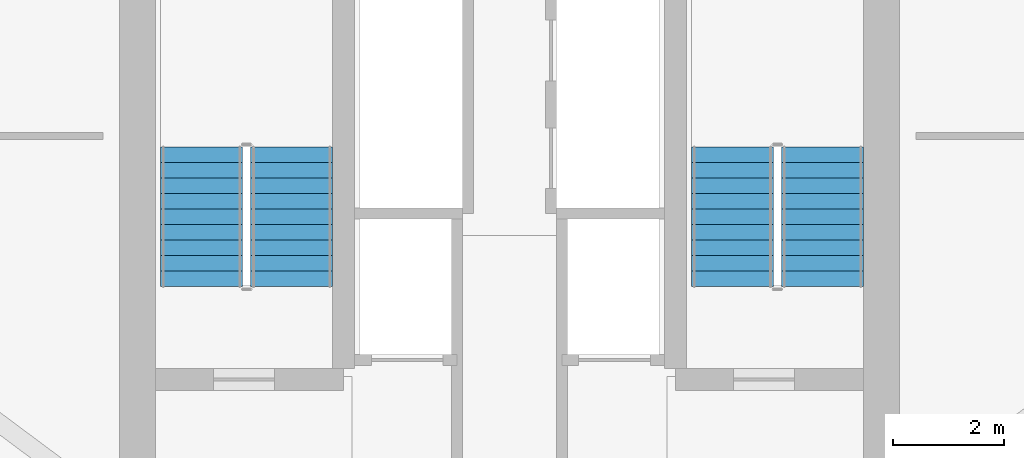
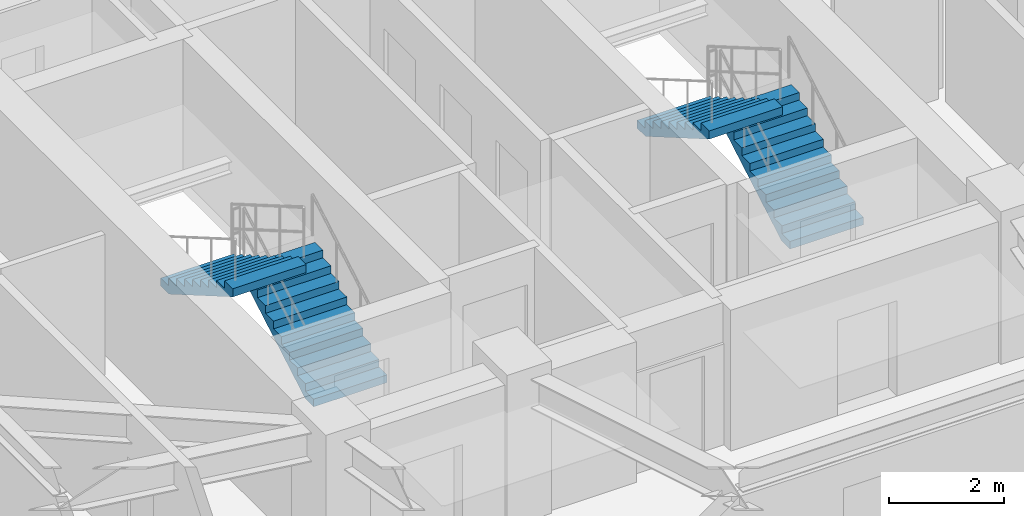
# One storey, part 31 of 33: 4 stair flights, 2 elements without a shape of their own.
"""IFC4 building model written with IfcOpenShell, lengths in metres."""

from ifc_helpers import new_model, si_unit, direction, frame, origin, place, context, subcontext, project, spatial, polyline, outline, extrude, material, type_object, element, aggregate, save


model = new_model("IFC4")

# Units and contexts
model_context = context("Model", 3, precision=1e-05, world=origin(), true_north=direction((0.0, 1.0)))
body_context = subcontext(model_context, "Body", "Model", "MODEL_VIEW")
ifc_project = project(units=[si_unit("LENGTHUNIT", "METRE"), si_unit("AREAUNIT", "SQUARE_METRE"), si_unit("VOLUMEUNIT", "CUBIC_METRE"), si_unit("PLANEANGLEUNIT", "RADIAN"), si_unit("MASSUNIT", "GRAM", prefix="KILO")], contexts=[model_context])

# Site, building, storey
site_placement = place(None, origin())
site = spatial("IfcSite", under=ifc_project, at=site_placement, CompositionType="ELEMENT")
building_placement = place(site_placement, origin())
building = spatial("IfcBuilding", under=site, at=building_placement, Name="Veraguas Prism Commons", CompositionType="ELEMENT")
storey_placement = place(building_placement, frame((0.0, 0.0, 92.699951171875)))
storey = spatial("IfcBuildingStorey", under=building, at=storey_placement, Name="L25", CompositionType="ELEMENT", Elevation=92.699951171875)

# Stair, stair flights
ifc_material = material(Name="Precast concrete C45/55", Category="concrete")
stair_type = type_object("IfcStairType", Name="Dogleg Core Stair 1480W 20R 05", PredefinedType="HALF_TURN_STAIR", material=ifc_material)
stair_1_placement = place(storey_placement, origin())
stair_1 = element("IfcStair", 1, at=stair_1_placement, inside=storey, type_object=stair_type, Name="Protected Exit Stair ST-01 L25", PredefinedType="HALF_TURN_STAIR")
stair_flight_type = type_object("IfcStairFlightType", Name="Precast Stair Flight 1480W 10R 05", PredefinedType="STRAIGHT", material=ifc_material)
stair_flight_1_placement = place(storey_placement, frame((20.06005859375, 21.280029296875, 0.0), z_axis=(0.0, 0.0, 1.0), x_axis=(0.0, 1.0, 0.0)))
stair_flight_1 = element("IfcStairFlight", 2, at=stair_flight_1_placement, type_object=stair_flight_type, Name="ST-05 Flight 1", NumberOfRisers=10, NumberOfTreads=9, PredefinedType="STRAIGHT", RiserHeight=0.1625, TreadLength=0.28, context=body_context, shape_type="SweptSolid", body=[
    extrude(outline(polyline([(0.0, 0.0), (0.0, 0.16259765625), (0.280029296875, 0.16259765625), (0.280029296875, 0.324951171875), (0.56005859375, 0.324951171875), (0.56005859375, 0.487548828125), (0.840087890625, 0.487548828125), (0.840087890625, 0.64990234375), (1.1201171875, 0.64990234375), (1.1201171875, 0.8125), (1.39990234375, 0.8125), (1.39990234375, 0.97509765625), (1.679931640625, 0.97509765625), (1.679931640625, 1.137451171875), (1.9599609375, 1.137451171875), (1.9599609375, 1.300048828125), (2.239990234375, 1.300048828125), (2.239990234375, 1.46240234375), (2.52001953125, 1.46240234375), (2.52001953125, 1.625), (2.52001953125, 1.2890625), (0.298583984375, 0.0), (0.0, 0.0)])), frame((0.0, 0.739990234375, 0.0), z_axis=(0.0, -1.0, 0.0), x_axis=(1.0, 0.0, 0.0)), (0.0, 0.0, 1.0), 1.47998046875),
])
stair_flight_2_placement = place(storey_placement, frame((18.429931640625, 23.800048828125, 1.625), z_axis=(0.0, 0.0, 1.0), x_axis=(0.0, -1.0, 0.0)))
stair_flight_2 = element("IfcStairFlight", 3, at=stair_flight_2_placement, type_object=stair_flight_type, Name="ST-05 Flight 2", NumberOfRisers=10, NumberOfTreads=9, PredefinedType="STRAIGHT", RiserHeight=0.1625, TreadLength=0.28, context=body_context, shape_type="SweptSolid", body=[
    extrude(outline(polyline([(0.0, 0.0), (0.0, 0.16259765625), (0.280029296875, 0.16259765625), (0.280029296875, 0.324951171875), (0.56005859375, 0.324951171875), (0.56005859375, 0.487548828125), (0.840087890625, 0.487548828125), (0.840087890625, 0.64990234375), (1.1201171875, 0.64990234375), (1.1201171875, 0.8125), (1.39990234375, 0.8125), (1.39990234375, 0.97509765625), (1.679931640625, 0.97509765625), (1.679931640625, 1.137451171875), (1.9599609375, 1.137451171875), (1.9599609375, 1.300048828125), (2.239990234375, 1.300048828125), (2.239990234375, 1.46240234375), (2.52001953125, 1.46240234375), (2.52001953125, 1.625), (2.52001953125, 1.2890625), (0.298583984375, 0.0), (0.0, 0.0)])), frame((0.0, 0.739990234375, 0.0), z_axis=(0.0, -1.0, 0.0), x_axis=(1.0, 0.0, 0.0)), (0.0, 0.0, 1.0), 1.47998046875),
])
aggregate(stair_1, [stair_flight_1, stair_flight_2])

stair_2_placement = place(storey_placement, origin())
stair_2 = element("IfcStair", 4, at=stair_2_placement, inside=storey, type_object=stair_type, Name="Protected Exit Stair ST-02 L25", PredefinedType="HALF_TURN_STAIR")
stair_flight_3_placement = place(storey_placement, frame((29.659912109375, 21.280029296875, 0.0), z_axis=(0.0, 0.0, 1.0), x_axis=(0.0, 1.0, 0.0)))
stair_flight_3 = element("IfcStairFlight", 5, at=stair_flight_3_placement, type_object=stair_flight_type, Name="ST-05 Flight 1", NumberOfRisers=10, NumberOfTreads=9, PredefinedType="STRAIGHT", RiserHeight=0.1625, TreadLength=0.28, context=body_context, shape_type="SweptSolid", body=[
    extrude(outline(polyline([(0.0, 0.0), (0.0, 0.16259765625), (0.280029296875, 0.16259765625), (0.280029296875, 0.324951171875), (0.56005859375, 0.324951171875), (0.56005859375, 0.487548828125), (0.840087890625, 0.487548828125), (0.840087890625, 0.64990234375), (1.1201171875, 0.64990234375), (1.1201171875, 0.8125), (1.39990234375, 0.8125), (1.39990234375, 0.97509765625), (1.679931640625, 0.97509765625), (1.679931640625, 1.137451171875), (1.9599609375, 1.137451171875), (1.9599609375, 1.300048828125), (2.239990234375, 1.300048828125), (2.239990234375, 1.46240234375), (2.52001953125, 1.46240234375), (2.52001953125, 1.625), (2.52001953125, 1.2890625), (0.298583984375, 0.0), (0.0, 0.0)])), frame((0.0, 0.739990234375, 0.0), z_axis=(0.0, -1.0, 0.0), x_axis=(1.0, 0.0, 0.0)), (0.0, 0.0, 1.0), 1.47998046875),
])
stair_flight_4_placement = place(storey_placement, frame((28.030029296875, 23.800048828125, 1.625), z_axis=(0.0, 0.0, 1.0), x_axis=(0.0, -1.0, 0.0)))
stair_flight_4 = element("IfcStairFlight", 6, at=stair_flight_4_placement, type_object=stair_flight_type, Name="ST-05 Flight 2", NumberOfRisers=10, NumberOfTreads=9, PredefinedType="STRAIGHT", RiserHeight=0.1625, TreadLength=0.28, context=body_context, shape_type="SweptSolid", body=[
    extrude(outline(polyline([(0.0, 0.0), (0.0, 0.16259765625), (0.280029296875, 0.16259765625), (0.280029296875, 0.324951171875), (0.56005859375, 0.324951171875), (0.56005859375, 0.487548828125), (0.840087890625, 0.487548828125), (0.840087890625, 0.64990234375), (1.1201171875, 0.64990234375), (1.1201171875, 0.8125), (1.39990234375, 0.8125), (1.39990234375, 0.97509765625), (1.679931640625, 0.97509765625), (1.679931640625, 1.137451171875), (1.9599609375, 1.137451171875), (1.9599609375, 1.300048828125), (2.239990234375, 1.300048828125), (2.239990234375, 1.46240234375), (2.52001953125, 1.46240234375), (2.52001953125, 1.625), (2.52001953125, 1.2890625), (0.298583984375, 0.0), (0.0, 0.0)])), frame((0.0, 0.739990234375, 0.0), z_axis=(0.0, -1.0, 0.0), x_axis=(1.0, 0.0, 0.0)), (0.0, 0.0, 1.0), 1.47998046875),
])
aggregate(stair_2, [stair_flight_3, stair_flight_4])

save(model, "model.ifc")
